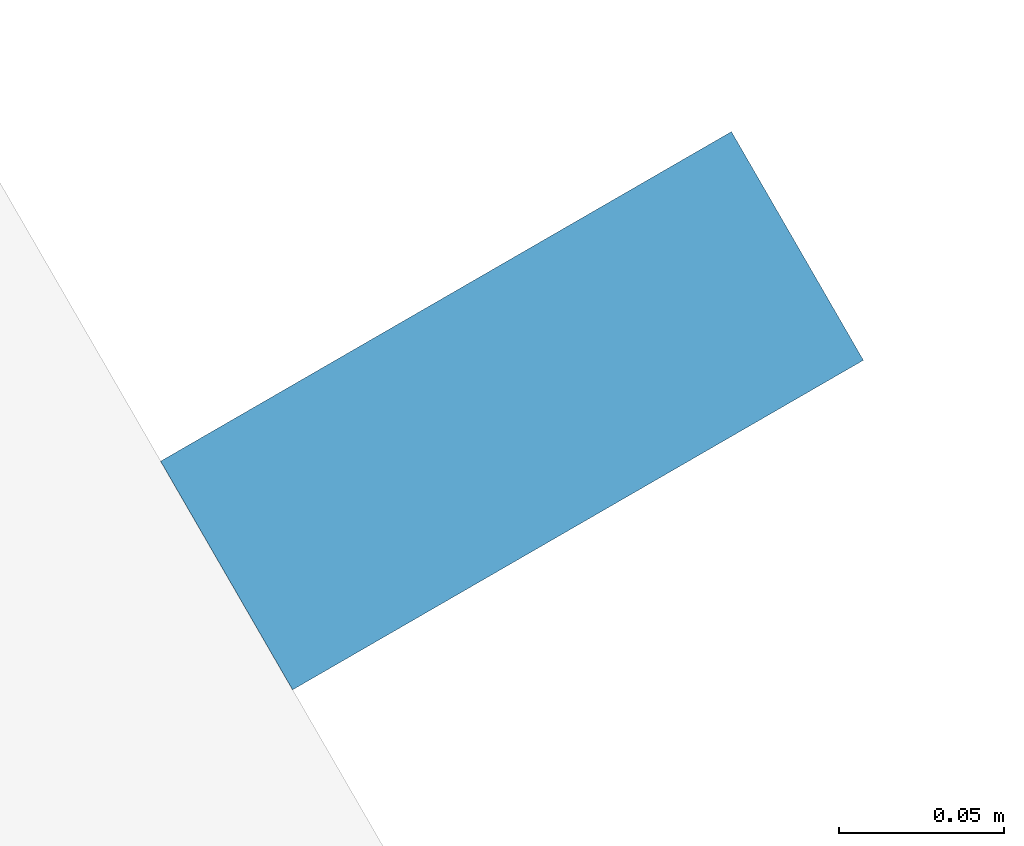
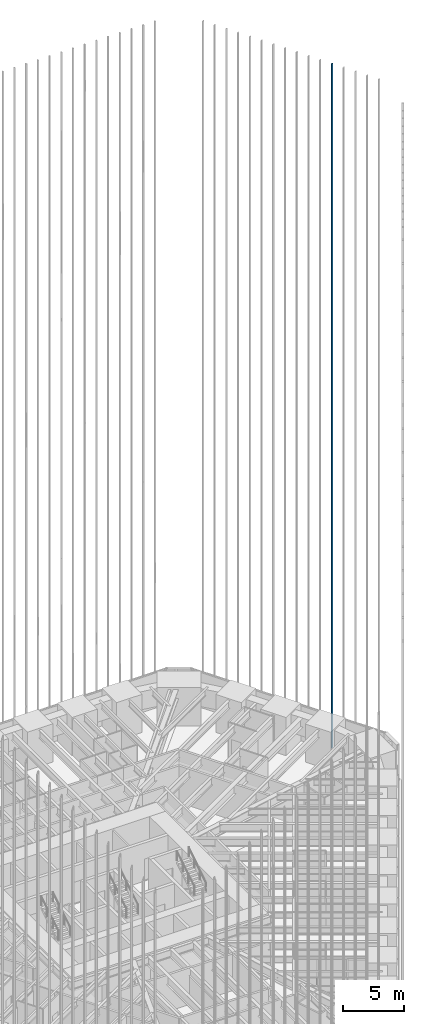
# One storey, part 206 of 256: 1 member, 1 element without a shape of its own.
"""IFC4 building model written with IfcOpenShell, lengths in metres."""

import ifcopenshell
import ifcopenshell.guid

model = None  # the IFC model being written
_history = None  # IfcOwnerHistory: only IFC2X3 demands one
_inside = {}  # id of a spatial element -> (the spatial element, [elements in it])
_under = {}  # id of a project, library or spatial element -> (it, [spatial elements below it])
_declared = {}  # id of a project -> (the project, [libraries it declares])
_typed = {}  # id of a type object -> (the type object, [elements of that type])
_made_of = {}  # id of a material, layer set ... -> (it, [elements and type objects made of it])


def new_model(schema):
    """Start an empty IFC model of exactly this schema.

    Asked for "IFC4X3", IfcOpenShell would pick the latest addendum, in which some entities
    have other attributes; the version numbers below select the first issue.
    IFC2X3 requires an IfcOwnerHistory on every rooted entity: one is made here for all.
    """
    global model, _history
    if schema == "IFC4X3":
        model = ifcopenshell.file(schema_version=(4, 3, 0, 0))
    else:
        model = ifcopenshell.file(schema=schema)
    _inside.clear()
    _under.clear()
    _declared.clear()
    _typed.clear()
    _made_of.clear()
    _history = None
    if model.schema == "IFC2X3":
        org = make("IfcOrganization", Name="unknown")
        user = make(
            "IfcPersonAndOrganization",
            ThePerson=make("IfcPerson", FamilyName="unknown"),
            TheOrganization=org,
        )
        app = make(
            "IfcApplication",
            ApplicationDeveloper=org,
            Version="unknown",
            ApplicationFullName="unknown",
            ApplicationIdentifier="unknown",
        )
        _history = make(
            "IfcOwnerHistory",
            OwningUser=user,
            OwningApplication=app,
            ChangeAction="ADDED",
            CreationDate=0,
        )
    return model


def make(cls, **values):
    """One entity of the class cls with the attributes given. An attribute that is None is left unset."""
    return model.create_entity(
        cls, **{name: value for name, value in values.items() if value is not None}
    )


def rooted(cls, **values):
    """An entity with a GlobalId (a new one), such as an element, a storey or a relation."""
    return make(cls, GlobalId=ifcopenshell.guid.new(), OwnerHistory=_history, **values)


def si_unit(unit_type, name, prefix=None):
    """IfcSIUnit, for example si_unit("LENGTHUNIT", "METRE", prefix="MILLI")."""
    return make("IfcSIUnit", UnitType=unit_type, Prefix=prefix, Name=name)


def assignment(units):
    """IfcUnitAssignment: the units of a project."""
    return None if units is None else make("IfcUnitAssignment", Units=units)


def point(xyz):
    """IfcCartesianPoint."""
    return None if xyz is None else make("IfcCartesianPoint", Coordinates=xyz)


def direction(xyz):
    """IfcDirection."""
    return None if xyz is None else make("IfcDirection", DirectionRatios=xyz)


def frame(location, z_axis=None, x_axis=None):
    """IfcAxis2Placement3D, a coordinate frame: its origin and axes. An axis left out is left unset."""
    return make(
        "IfcAxis2Placement3D",
        Location=point(location),
        Axis=direction(z_axis),
        RefDirection=direction(x_axis),
    )


def frame_2d(location, x_axis=None):
    """IfcAxis2Placement2D, a coordinate frame in the plane: its origin and x axis."""
    return make(
        "IfcAxis2Placement2D", Location=point(location), RefDirection=direction(x_axis)
    )


def origin():
    """The frame at (0, 0, 0) with its axes left unset."""
    return frame((0.0, 0.0, 0.0))


def origin_2d():
    """The frame at (0, 0) in the plane with its x axis left unset."""
    return frame_2d((0.0, 0.0))


def place(relative_to, where):
    """IfcLocalPlacement: puts the frame where relative to a parent placement (None: the world)."""
    return make(
        "IfcLocalPlacement", PlacementRelTo=relative_to, RelativePlacement=where
    )


def context(
    kind, dimensions, precision=None, world=None, true_north=None, identifier=None
):
    """IfcGeometricRepresentationContext, for example the 3D "Model" context."""
    return make(
        "IfcGeometricRepresentationContext",
        ContextIdentifier=identifier,
        ContextType=kind,
        CoordinateSpaceDimension=dimensions,
        Precision=precision,
        WorldCoordinateSystem=world,
        TrueNorth=true_north,
    )


def subcontext(parent, identifier, kind, view, scale=None):
    """IfcGeometricRepresentationSubContext, for example "Body" below "Model"."""
    return make(
        "IfcGeometricRepresentationSubContext",
        ContextIdentifier=identifier,
        ContextType=kind,
        ParentContext=parent,
        TargetScale=scale,
        TargetView=view,
    )


def project(units=None, contexts=None):
    """IfcProject with its units and contexts."""
    return rooted(
        "IfcProject",
        Name="project",
        RepresentationContexts=contexts,
        UnitsInContext=assignment(units),
    )


def spatial(cls, under=None, at=None, **own):
    """A site, building, storey or space (cls), placed at a placement, below another one or the project."""
    s = rooted(cls, ObjectPlacement=at, **own)
    if under is not None:
        _under.setdefault(under.id(), (under, []))[1].append(s)
    return s


def profile(cls, at=None, kind="AREA", **sizes):
    """A parametric profile (cls). Its sizes go by their IFC names, for example OverallWidth=200.0."""
    return make(cls, ProfileType=kind, Position=at, **sizes)


def rectangle(**sizes):
    """IfcRectangleProfileDef."""
    return profile("IfcRectangleProfileDef", **sizes)


def extrude(swept, where, along, depth):
    """IfcExtrudedAreaSolid: the profile swept, set in the frame where, extruded along a direction by depth."""
    return make(
        "IfcExtrudedAreaSolid",
        SweptArea=swept,
        Position=where,
        ExtrudedDirection=direction(along),
        Depth=depth,
    )


def shape(context_of_items, identifier, shape_type, items):
    """IfcShapeRepresentation: the items that make up one representation, for example the "Body"."""
    return make(
        "IfcShapeRepresentation",
        ContextOfItems=context_of_items,
        RepresentationIdentifier=identifier,
        RepresentationType=shape_type,
        Items=items,
    )


def material(Name=None, Category=None):
    """IfcMaterial."""
    return make("IfcMaterial", Name=Name, Category=Category)


def material_profile(
    of_material, cross_section, Name=None, Category=None, Priority=None
):
    """IfcMaterialProfile: a cross section and its material."""
    return make(
        "IfcMaterialProfile",
        Name=Name,
        Material=of_material,
        Profile=cross_section,
        Priority=Priority,
        Category=Category,
    )


def profile_set(profiles, Name=None, composite=None):
    """IfcMaterialProfileSet."""
    return make(
        "IfcMaterialProfileSet",
        Name=Name,
        MaterialProfiles=profiles,
        CompositeProfile=composite,
    )


def made_of(thing, what):
    """Note that an element or type object is made of a material, layer set ...; save() writes the relation."""
    if what is not None:
        _made_of.setdefault(what.id(), (what, []))[1].append(thing)
    return thing


def type_object(cls, material=None, **own):
    """A type object (cls), such as IfcWallType, which elements share."""
    return made_of(rooted(cls, **own), material)


def element(
    cls,
    number,
    at=None,
    inside=None,
    cuts=None,
    type_object=None,
    material=None,
    context=None,
    identifier="Body",
    shape_type=None,
    held_by="IfcProductDefinitionShape",
    body=None,
    shapes=None,
    **own,
):
    """One element of the class cls, such as IfcWall. Its Tag is "e" and its number.

    at: its placement. inside: the storey or other place that contains it. cuts: it is an
    opening in that element (IfcRelVoidsElement). A single representation is given by context,
    identifier, shape_type and body (its items); several are given by shapes. held_by: the class
    of the entity that holds the representations. save() writes the other relations.
    """
    e = rooted(cls, Tag="e%d" % number, ObjectPlacement=at, **own)
    if body is not None:
        shapes = [shape(context, identifier, shape_type, body)]
    if shapes is not None:
        e.Representation = make(held_by, Representations=shapes)
    if inside is not None:
        _inside.setdefault(inside.id(), (inside, []))[1].append(e)
    if cuts is not None:
        rooted(
            "IfcRelVoidsElement", RelatingBuildingElement=cuts, RelatedOpeningElement=e
        )
    if type_object is not None:
        _typed.setdefault(type_object.id(), (type_object, []))[1].append(e)
    return made_of(e, material)


def aggregate(whole, parts):
    """IfcRelAggregates: a whole, such as a stair, and the parts it consists of."""
    return rooted("IfcRelAggregates", RelatingObject=whole, RelatedObjects=parts)


def save(model, path):
    """Write the relations noted so far, then the file.

    IfcRelAggregates (storeys below a building ...), IfcRelContainedInSpatialStructure (elements
    in a storey), IfcRelDefinesByType, IfcRelAssociatesMaterial and IfcRelDeclares: one each for
    every whole, place, type object, material and project.
    """
    for whole, parts in _under.values():
        aggregate(whole, parts)
    for where, things in _inside.values():
        rooted(
            "IfcRelContainedInSpatialStructure",
            RelatedElements=things,
            RelatingStructure=where,
        )
    for kind, things in _typed.values():
        rooted("IfcRelDefinesByType", RelatedObjects=things, RelatingType=kind)
    for what, things in _made_of.values():
        rooted("IfcRelAssociatesMaterial", RelatedObjects=things, RelatingMaterial=what)
    for by, libraries in _declared.values():
        rooted("IfcRelDeclares", RelatingContext=by, RelatedDefinitions=libraries)
    model.write(path)


model = new_model("IFC4")

# Units and contexts
model_context = context("Model", 3, precision=1e-05, world=origin(), true_north=direction((0.0, 1.0)))
body_context = subcontext(model_context, "Body", "Model", "MODEL_VIEW")
ifc_project = project(units=[si_unit("LENGTHUNIT", "METRE"), si_unit("AREAUNIT", "SQUARE_METRE"), si_unit("VOLUMEUNIT", "CUBIC_METRE"), si_unit("PLANEANGLEUNIT", "RADIAN"), si_unit("MASSUNIT", "GRAM", prefix="KILO")], contexts=[model_context])

# Site, building, storey
site_placement = place(None, origin())
site = spatial("IfcSite", under=ifc_project, at=site_placement, CompositionType="ELEMENT")
building_placement = place(site_placement, origin())
building = spatial("IfcBuilding", under=site, at=building_placement, Name="Sandreach Pilgrim Tower", CompositionType="ELEMENT")
storey_placement = place(building_placement, frame((0.0, 0.0, 23.0)))
storey = spatial("IfcBuildingStorey", under=building, at=storey_placement, Name="L04", CompositionType="ELEMENT", Elevation=23.0)

# Curtain wall, member
ifc_material_1 = material(Name="Aluminium framed curtain wall", Category="aluminium")
curtain_wall_type = type_object("IfcCurtainWallType", Name="Hostel tower curtain wall", PredefinedType="NOTDEFINED", material=ifc_material_1)
curtain_wall_placement = place(storey_placement, origin())
curtain_wall = element("IfcCurtainWall", 1, at=curtain_wall_placement, inside=storey, type_object=curtain_wall_type, Name="CW-1 L04 NE", PredefinedType="NOTDEFINED")
ifc_material_2 = material(Name="Extruded terracotta on aluminium core", Category="masonry")
ifc_material_profile = material_profile(ifc_material_2, rectangle(XDim=0.080078125, YDim=0.199951171875, at=origin_2d()), Name="TBE 80X200")
ifc_profile_set = profile_set([ifc_material_profile], Name="Extruded terracotta on aluminium core")
member_type = type_object("IfcMemberType", Name="Terracotta baguette east", PredefinedType="USERDEFINED", material=ifc_profile_set)
member_placement = place(storey_placement, frame((28.2724609375, 11.852294921875, 0.0), z_axis=(0.0, 0.0, 1.0), x_axis=(0.5, -0.866025403784, 0.0)))
member = element("IfcMember", 2, at=member_placement, type_object=member_type, Name="Baguette Z1 NE12", ObjectType="BAGUETTE", PredefinedType="USERDEFINED", context=body_context, shape_type="SweptSolid", body=[
    extrude(rectangle(XDim=0.080078125, YDim=0.199951171875, at=origin_2d()), origin(), (0.0, 0.0, 1.0), 68.239990234375),
])
aggregate(curtain_wall, [member])

save(model, "model.ifc")
